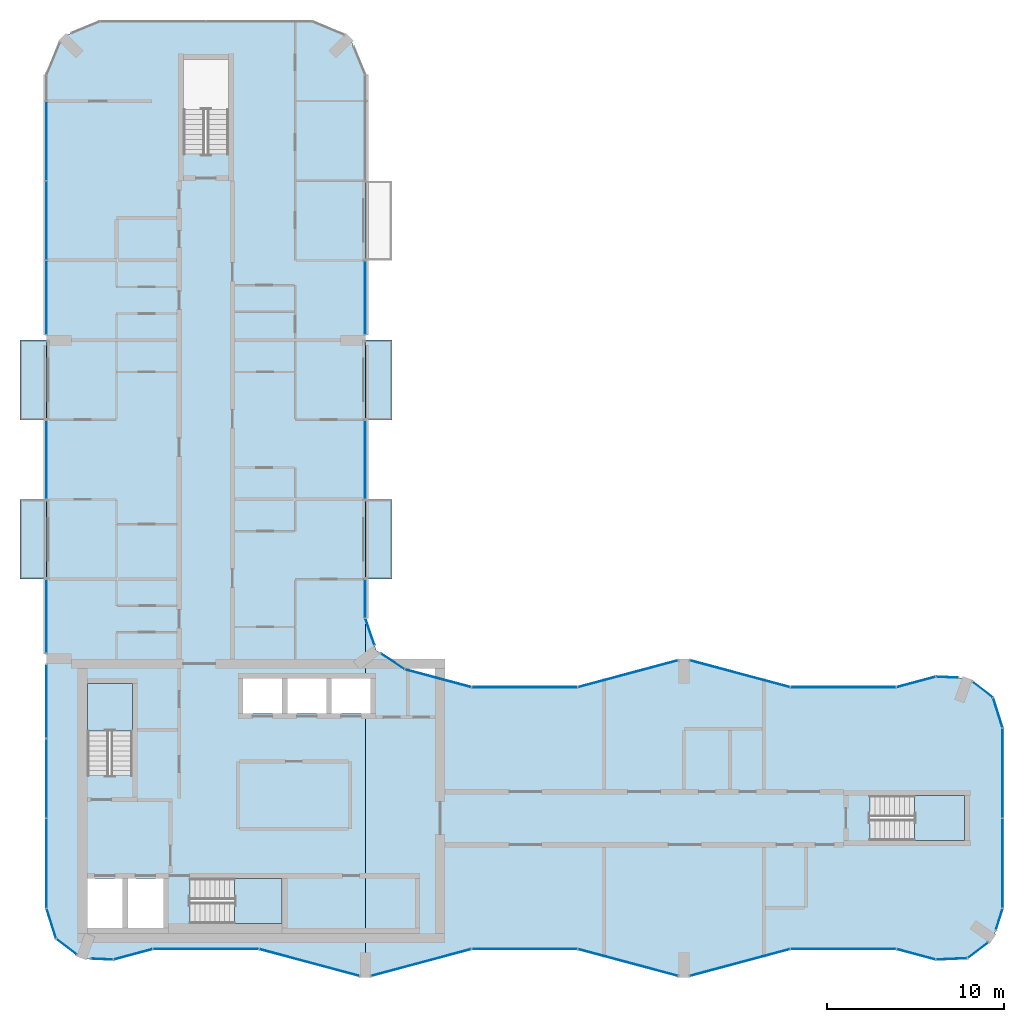
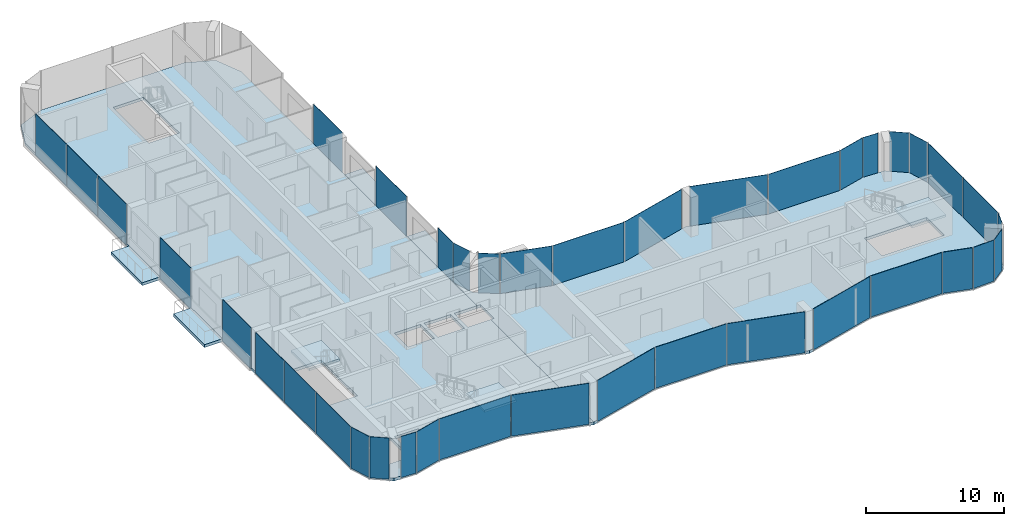
# One storey, part 8 of 16: 39 plates, 9 slabs, 37 elements without a shape of their own.
"""IFC4 building model written with IfcOpenShell, lengths in metres."""

from ifc_helpers import new_model, si_unit, direction, frame, origin, origin_2d, place, context, subcontext, project, spatial, polyline, rectangle, outline, extrude, material, layer, layer_set, type_object, element, aggregate, save


model = new_model("IFC4")

# Units and contexts
model_context = context("Model", 3, precision=1e-05, world=origin(), true_north=direction((0.0, 1.0)))
body_context = subcontext(model_context, "Body", "Model", "MODEL_VIEW")
ifc_project = project(units=[si_unit("LENGTHUNIT", "METRE"), si_unit("AREAUNIT", "SQUARE_METRE"), si_unit("VOLUMEUNIT", "CUBIC_METRE"), si_unit("PLANEANGLEUNIT", "RADIAN"), si_unit("MASSUNIT", "GRAM", prefix="KILO")], contexts=[model_context])

# Site, building, storey
site_placement = place(None, origin())
site = spatial("IfcSite", under=ifc_project, at=site_placement, CompositionType="ELEMENT")
building_placement = place(site_placement, origin())
building = spatial("IfcBuilding", under=site, at=building_placement, Name="Plateau Cross Towers", CompositionType="ELEMENT")
storey_placement = place(building_placement, frame((0.0, 0.0, 181.39990234375)))
storey = spatial("IfcBuildingStorey", under=building, at=storey_placement, Name="L47", CompositionType="ELEMENT", Elevation=181.39990234375)

# Slabs
ifc_material_1 = material(Name="Concrete C40/50", Category="concrete")
ifc_layer_1 = layer(ifc_material_1, 0.25)
ifc_layer_set_1 = layer_set([ifc_layer_1], Name="Concrete C40/50")
slab_type_1 = type_object("IfcSlabType", Name="Balcony slab 250", PredefinedType="FLOOR", material=ifc_layer_set_1)
slab_1_placement = place(storey_placement, frame((0.0, 0.0, -0.25)))
element("IfcSlab", 1, at=slab_1_placement, inside=storey, type_object=slab_type_1, Name="Balcony slab A-BAL-L47-01", PredefinedType="FLOOR", context=body_context, shape_type="SweptSolid", body=[
    extrude(outline(polyline([(0.0, 22.5), (0.0, 27.0), (-1.5, 27.0), (-1.5, 22.5), (0.0, 22.5)])), origin(), (0.0, 0.0, 1.0), 0.25),
])
slab_2_placement = place(storey_placement, frame((0.0, 0.0, -0.25)))
element("IfcSlab", 2, at=slab_2_placement, inside=storey, type_object=slab_type_1, Name="Balcony slab A-BAL-L47-02", PredefinedType="FLOOR", context=body_context, shape_type="SweptSolid", body=[
    extrude(outline(polyline([(0.0, 31.5), (0.0, 36.0), (-1.5, 36.0), (-1.5, 31.5), (0.0, 31.5)])), origin(), (0.0, 0.0, 1.0), 0.25),
])
slab_3_placement = place(storey_placement, frame((0.0, 0.0, -0.25)))
element("IfcSlab", 3, at=slab_3_placement, inside=storey, type_object=slab_type_1, Name="Balcony slab A-BAL-L47-03", PredefinedType="FLOOR", context=body_context, shape_type="SweptSolid", body=[
    extrude(outline(polyline([(19.5, 22.5), (19.5, 27.0), (18.0, 27.0), (18.0, 22.5), (19.5, 22.5)])), origin(), (0.0, 0.0, 1.0), 0.25),
])
slab_4_placement = place(storey_placement, frame((0.0, 0.0, -0.25)))
element("IfcSlab", 4, at=slab_4_placement, inside=storey, type_object=slab_type_1, Name="Balcony slab A-BAL-L47-04", PredefinedType="FLOOR", context=body_context, shape_type="SweptSolid", body=[
    extrude(outline(polyline([(19.5, 31.5), (19.5, 36.0), (18.0, 36.0), (18.0, 31.5), (19.5, 31.5)])), origin(), (0.0, 0.0, 1.0), 0.25),
])

# Curtain wall, plate
ifc_material_2 = material(Name="Dark low-iron glass", Category="glass")
ifc_layer_2 = layer(ifc_material_2, 0.239990234375)
ifc_layer_set_2 = layer_set([ifc_layer_2], Name="Dark low-iron glass")
curtain_wall_type_1 = type_object("IfcCurtainWallType", Name="Curtain wall flush unitised CW-B", PredefinedType="NOTDEFINED", material=ifc_layer_set_2)
curtain_wall_1_placement = place(storey_placement, origin())
curtain_wall_1 = element("IfcCurtainWall", 5, at=curtain_wall_1_placement, inside=storey, type_object=curtain_wall_type_1, Name="ENV/A/L47/A502_10", PredefinedType="NOTDEFINED")
ifc_layer_3 = layer(ifc_material_2, 0.031982421875)
ifc_layer_set_3 = layer_set([ifc_layer_3], Name="Dark low-iron glass")
plate_type_1 = type_object("IfcPlateType", Name="Glass panel 32 flush unitised", PredefinedType="CURTAIN_PANEL", material=ifc_layer_set_3)
plate_1_placement = place(storey_placement, frame((51.125, 1.05078125, -0.1298828125), z_axis=(0.0, 0.0, 1.0), x_axis=(0.999043701491, 0.043722791671, 0.0)))
plate_1 = element("IfcPlate", 6, at=plate_1_placement, type_object=plate_type_1, Name="CW-B panel 1", PredefinedType="CURTAIN_PANEL", context=body_context, shape_type="SweptSolid", body=[
    extrude(rectangle(XDim=1.744140625, YDim=0.031982421875, at=origin_2d()), origin(), (0.0, 0.0, 1.0), 3.6298828125),
])
aggregate(curtain_wall_1, [plate_1])

curtain_wall_2_placement = place(storey_placement, origin())
curtain_wall_2 = element("IfcCurtainWall", 7, at=curtain_wall_2_placement, inside=storey, type_object=curtain_wall_type_1, Name="ENV/A/L47/A520_11", PredefinedType="NOTDEFINED")
plate_2_placement = place(storey_placement, frame((52.60986328125, 1.5380859375, -0.1298828125), z_axis=(0.0, 0.0, 1.0), x_axis=(0.793315514529, 0.608810721331, 0.0)))
plate_2 = element("IfcPlate", 8, at=plate_2_placement, type_object=plate_type_1, Name="CW-B panel 1", PredefinedType="CURTAIN_PANEL", context=body_context, shape_type="SweptSolid", body=[
    extrude(rectangle(XDim=1.41162109375, YDim=0.031982421875, at=origin_2d()), origin(), (0.0, 0.0, 1.0), 3.6298828125),
])
aggregate(curtain_wall_2, [plate_2])

curtain_wall_3_placement = place(storey_placement, origin())
curtain_wall_3 = element("IfcCurtainWall", 9, at=curtain_wall_3_placement, inside=storey, type_object=curtain_wall_type_1, Name="ENV/A/L47/A536_27", PredefinedType="NOTDEFINED")
plate_3_placement = place(storey_placement, frame((53.805419921875, 3.292236328125, -0.1298828125), z_axis=(0.0, 0.0, 1.0), x_axis=(0.300686174994, 0.95372313811, 0.0)))
plate_3 = element("IfcPlate", 10, at=plate_3_placement, type_object=plate_type_1, Name="CW-B panel 1", PredefinedType="CURTAIN_PANEL", context=body_context, shape_type="SweptSolid", body=[
    extrude(rectangle(XDim=1.233642578125, YDim=0.031982421875, at=origin_2d()), origin(), (0.0, 0.0, 1.0), 3.6298828125),
])
aggregate(curtain_wall_3, [plate_3])

# Curtain wall, plates
curtain_wall_4_placement = place(storey_placement, origin())
curtain_wall_4 = element("IfcCurtainWall", 11, at=curtain_wall_4_placement, inside=storey, type_object=curtain_wall_type_1, Name="ENV/A/L47/A540_39", PredefinedType="NOTDEFINED")
plate_4_placement = place(storey_placement, frame((54.0, 6.45458984375, -0.1298828125), z_axis=(0.0, 0.0, 1.0), x_axis=(0.0, 1.0, 0.0)))
plate_4 = element("IfcPlate", 12, at=plate_4_placement, type_object=plate_type_1, Name="CW-B panel 1", PredefinedType="CURTAIN_PANEL", context=body_context, shape_type="SweptSolid", body=[
    extrude(rectangle(XDim=5.03076171875, YDim=0.031982421875, at=origin_2d()), origin(), (0.0, 0.0, 1.0), 3.6298828125),
])
plate_5_placement = place(storey_placement, frame((54.0, 11.54541015625, -0.1298828125), z_axis=(0.0, 0.0, 1.0), x_axis=(0.0, 1.0, 0.0)))
plate_5 = element("IfcPlate", 13, at=plate_5_placement, type_object=plate_type_1, Name="CW-B panel 2", PredefinedType="CURTAIN_PANEL", context=body_context, shape_type="SweptSolid", body=[
    extrude(rectangle(XDim=5.03076171875, YDim=0.031982421875, at=origin_2d()), origin(), (0.0, 0.0, 1.0), 3.6298828125),
])
aggregate(curtain_wall_4, [plate_4, plate_5])

# Curtain wall, plate
curtain_wall_5_placement = place(storey_placement, origin())
curtain_wall_5 = element("IfcCurtainWall", 14, at=curtain_wall_5_placement, inside=storey, type_object=curtain_wall_type_1, Name="ENV/A/L47/A540_141", PredefinedType="NOTDEFINED")
plate_6_placement = place(storey_placement, frame((53.728759765625, 14.951171875, -0.1298828125), z_axis=(0.0, 0.0, 1.0), x_axis=(-0.300686174994, 0.95372313811, 0.0)))
plate_6 = element("IfcPlate", 15, at=plate_6_placement, type_object=plate_type_1, Name="CW-B panel 1", PredefinedType="CURTAIN_PANEL", context=body_context, shape_type="SweptSolid", body=[
    extrude(rectangle(XDim=1.744140625, YDim=0.031982421875, at=origin_2d()), origin(), (0.0, 0.0, 1.0), 3.6298828125),
])
aggregate(curtain_wall_5, [plate_6])

curtain_wall_6_placement = place(storey_placement, origin())
curtain_wall_6 = element("IfcCurtainWall", 16, at=curtain_wall_6_placement, inside=storey, type_object=curtain_wall_type_1, Name="ENV/A/L47/A535_158", PredefinedType="NOTDEFINED")
plate_7_placement = place(storey_placement, frame((52.873779296875, 16.25927734375, -0.1298828125), z_axis=(0.0, 0.0, 1.0), x_axis=(-0.793315514529, 0.608810721331, 0.0)))
plate_7 = element("IfcPlate", 17, at=plate_7_placement, type_object=plate_type_1, Name="CW-B panel 1", PredefinedType="CURTAIN_PANEL", context=body_context, shape_type="SweptSolid", body=[
    extrude(rectangle(XDim=1.41162109375, YDim=0.031982421875, at=origin_2d()), origin(), (0.0, 0.0, 1.0), 3.6298828125),
])
aggregate(curtain_wall_6, [plate_7])

curtain_wall_7_placement = place(storey_placement, origin())
curtain_wall_7 = element("IfcCurtainWall", 18, at=curtain_wall_7_placement, inside=storey, type_object=curtain_wall_type_1, Name="ENV/A/L47/A515_169", PredefinedType="NOTDEFINED")
plate_8_placement = place(storey_placement, frame((50.8701171875, 16.96044921875, -0.1298828125), z_axis=(0.0, 0.0, 1.0), x_axis=(-0.999043701491, 0.043722791671, 0.0)))
plate_8 = element("IfcPlate", 19, at=plate_8_placement, type_object=plate_type_1, Name="CW-B panel 1", PredefinedType="CURTAIN_PANEL", context=body_context, shape_type="SweptSolid", body=[
    extrude(rectangle(XDim=1.233642578125, YDim=0.031982421875, at=origin_2d()), origin(), (0.0, 0.0, 1.0), 3.6298828125),
])
aggregate(curtain_wall_7, [plate_8])

curtain_wall_8_placement = place(storey_placement, origin())
curtain_wall_8 = element("IfcCurtainWall", 20, at=curtain_wall_8_placement, inside=storey, type_object=curtain_wall_type_1, Name="ENV/A/L47/A202_174", PredefinedType="NOTDEFINED")
plate_9_placement = place(storey_placement, frame((19.546630859375, 17.856689453125, -0.1298828125), z_axis=(0.0, 0.0, 1.0), x_axis=(-0.831521253329, 0.555492938984, 0.0)))
plate_9 = element("IfcPlate", 21, at=plate_9_placement, type_object=plate_type_1, Name="CW-B panel 1", PredefinedType="CURTAIN_PANEL", context=body_context, shape_type="SweptSolid", body=[
    extrude(rectangle(XDim=1.56884765625, YDim=0.031982421875, at=origin_2d()), origin(), (0.0, 0.0, 1.0), 3.6298828125),
])
aggregate(curtain_wall_8, [plate_9])

curtain_wall_9_placement = place(storey_placement, origin())
curtain_wall_9 = element("IfcCurtainWall", 22, at=curtain_wall_9_placement, inside=storey, type_object=curtain_wall_type_1, Name="ENV/A/L47/A185_188", PredefinedType="NOTDEFINED")
plate_10_placement = place(storey_placement, frame((18.26171875, 19.531005859375, -0.1298828125), z_axis=(0.0, 0.0, 1.0), x_axis=(-0.321469161574, 0.94692004845, 0.0)))
plate_10 = element("IfcPlate", 23, at=plate_10_placement, type_object=plate_type_1, Name="CW-B panel 1", PredefinedType="CURTAIN_PANEL", context=body_context, shape_type="SweptSolid", body=[
    extrude(rectangle(XDim=1.56884765625, YDim=0.031982421875, at=origin_2d()), origin(), (0.0, 0.0, 1.0), 3.6298828125),
])
aggregate(curtain_wall_9, [plate_10])

curtain_wall_10_placement = place(storey_placement, origin())
curtain_wall_10 = element("IfcCurtainWall", 24, at=curtain_wall_10_placement, inside=storey, type_object=curtain_wall_type_1, Name="ENV/A/L47/A180_203", PredefinedType="NOTDEFINED")
plate_11_placement = place(storey_placement, frame((18.0, 21.396240234375, -0.1298828125), z_axis=(0.0, 0.0, 1.0), x_axis=(0.0, 1.0, 0.0)))
plate_11 = element("IfcPlate", 25, at=plate_11_placement, type_object=plate_type_1, Name="CW-B panel 1", PredefinedType="CURTAIN_PANEL", context=body_context, shape_type="SweptSolid", body=[
    extrude(rectangle(XDim=2.127685546875, YDim=0.031982421875, at=origin_2d()), origin(), (0.0, 0.0, 1.0), 3.6298828125),
])
aggregate(curtain_wall_10, [plate_11])

curtain_wall_11_placement = place(storey_placement, origin())
curtain_wall_11 = element("IfcCurtainWall", 26, at=curtain_wall_11_placement, inside=storey, type_object=curtain_wall_type_1, Name="ENV/A/L47/A180_270", PredefinedType="NOTDEFINED")
plate_12_placement = place(storey_placement, frame((18.0, 29.25, -0.1298828125), z_axis=(0.0, 0.0, 1.0), x_axis=(0.0, 1.0, 0.0)))
plate_12 = element("IfcPlate", 27, at=plate_12_placement, type_object=plate_type_1, Name="CW-B panel 1", PredefinedType="CURTAIN_PANEL", context=body_context, shape_type="SweptSolid", body=[
    extrude(rectangle(XDim=4.419921875, YDim=0.031982421875, at=origin_2d()), origin(), (0.0, 0.0, 1.0), 3.6298828125),
])
aggregate(curtain_wall_11, [plate_12])

curtain_wall_12_placement = place(storey_placement, origin())
curtain_wall_12 = element("IfcCurtainWall", 28, at=curtain_wall_12_placement, inside=storey, type_object=curtain_wall_type_1, Name="ENV/A/L47/A180_363", PredefinedType="NOTDEFINED")
plate_13_placement = place(storey_placement, frame((18.0, 38.39501953125, -0.1298828125), z_axis=(0.0, 0.0, 1.0), x_axis=(0.0, 1.0, 0.0)))
plate_13 = element("IfcPlate", 29, at=plate_13_placement, type_object=plate_type_1, Name="CW-B panel 1", PredefinedType="CURTAIN_PANEL", context=body_context, shape_type="SweptSolid", body=[
    extrude(rectangle(XDim=4.1298828125, YDim=0.031982421875, at=origin_2d()), origin(), (0.0, 0.0, 1.0), 3.6298828125),
])
aggregate(curtain_wall_12, [plate_13])

# Curtain wall, plates
curtain_wall_13_placement = place(storey_placement, origin())
curtain_wall_13 = element("IfcCurtainWall", 30, at=curtain_wall_13_placement, inside=storey, type_object=curtain_wall_type_1, Name="ENV/A/L47/A0_510", PredefinedType="NOTDEFINED")
plate_14_placement = place(storey_placement, frame((0.0, 47.25, -0.1298828125), z_axis=(0.0, 0.0, 1.0), x_axis=(0.0, -1.0, 0.0)))
plate_14 = element("IfcPlate", 31, at=plate_14_placement, type_object=plate_type_1, Name="CW-B panel 2", PredefinedType="CURTAIN_PANEL", context=body_context, shape_type="SweptSolid", body=[
    extrude(rectangle(XDim=4.43994140625, YDim=0.031982421875, at=origin_2d()), origin(), (0.0, 0.0, 1.0), 3.6298828125),
])
plate_15_placement = place(storey_placement, frame((0.0, 42.75, -0.1298828125), z_axis=(0.0, 0.0, 1.0), x_axis=(0.0, -1.0, 0.0)))
plate_15 = element("IfcPlate", 32, at=plate_15_placement, type_object=plate_type_1, Name="CW-B panel 3", PredefinedType="CURTAIN_PANEL", context=body_context, shape_type="SweptSolid", body=[
    extrude(rectangle(XDim=4.43994140625, YDim=0.031982421875, at=origin_2d()), origin(), (0.0, 0.0, 1.0), 3.6298828125),
])
plate_16_placement = place(storey_placement, frame((0.0, 38.39990234375, -0.1298828125), z_axis=(0.0, 0.0, 1.0), x_axis=(0.0, -1.0, 0.0)))
plate_16 = element("IfcPlate", 33, at=plate_16_placement, type_object=plate_type_1, Name="CW-B panel 4", PredefinedType="CURTAIN_PANEL", context=body_context, shape_type="SweptSolid", body=[
    extrude(rectangle(XDim=4.139892578125, YDim=0.031982421875, at=origin_2d()), origin(), (0.0, 0.0, 1.0), 3.6298828125),
])
aggregate(curtain_wall_13, [plate_14, plate_15, plate_16])

# Curtain wall, plate
curtain_wall_14_placement = place(storey_placement, origin())
curtain_wall_14 = element("IfcCurtainWall", 34, at=curtain_wall_14_placement, inside=storey, type_object=curtain_wall_type_1, Name="ENV/A/L47/A0_315", PredefinedType="NOTDEFINED")
plate_17_placement = place(storey_placement, frame((0.0, 29.25, -0.1298828125), z_axis=(0.0, 0.0, 1.0), x_axis=(0.0, -1.0, 0.0)))
plate_17 = element("IfcPlate", 35, at=plate_17_placement, type_object=plate_type_1, Name="CW-B panel 1", PredefinedType="CURTAIN_PANEL", context=body_context, shape_type="SweptSolid", body=[
    extrude(rectangle(XDim=4.419921875, YDim=0.031982421875, at=origin_2d()), origin(), (0.0, 0.0, 1.0), 3.6298828125),
])
aggregate(curtain_wall_14, [plate_17])

curtain_wall_15_placement = place(storey_placement, origin())
curtain_wall_15 = element("IfcCurtainWall", 36, at=curtain_wall_15_placement, inside=storey, type_object=curtain_wall_type_1, Name="ENV/A/L47/A0_225", PredefinedType="NOTDEFINED")
plate_18_placement = place(storey_placement, frame((0.0, 20.39501953125, -0.1298828125), z_axis=(0.0, 0.0, 1.0), x_axis=(0.0, -1.0, 0.0)))
plate_18 = element("IfcPlate", 37, at=plate_18_placement, type_object=plate_type_1, Name="CW-B panel 1", PredefinedType="CURTAIN_PANEL", context=body_context, shape_type="SweptSolid", body=[
    extrude(rectangle(XDim=4.1298828125, YDim=0.031982421875, at=origin_2d()), origin(), (0.0, 0.0, 1.0), 3.6298828125),
])
aggregate(curtain_wall_15, [plate_18])

# Curtain wall, plates
curtain_wall_16_placement = place(storey_placement, origin())
curtain_wall_16 = element("IfcCurtainWall", 38, at=curtain_wall_16_placement, inside=storey, type_object=curtain_wall_type_1, Name="ENV/A/L47/A0_177", PredefinedType="NOTDEFINED")
plate_19_placement = place(storey_placement, frame((0.0, 15.60009765625, -0.1298828125), z_axis=(0.0, 0.0, 1.0), x_axis=(0.0, -1.0, 0.0)))
plate_19 = element("IfcPlate", 39, at=plate_19_placement, type_object=plate_type_1, Name="CW-B panel 1", PredefinedType="CURTAIN_PANEL", context=body_context, shape_type="SweptSolid", body=[
    extrude(rectangle(XDim=4.139892578125, YDim=0.031982421875, at=origin_2d()), origin(), (0.0, 0.0, 1.0), 3.6298828125),
])
plate_20_placement = place(storey_placement, frame((0.0, 11.25, -0.1298828125), z_axis=(0.0, 0.0, 1.0), x_axis=(0.0, -1.0, 0.0)))
plate_20 = element("IfcPlate", 40, at=plate_20_placement, type_object=plate_type_1, Name="CW-B panel 2", PredefinedType="CURTAIN_PANEL", context=body_context, shape_type="SweptSolid", body=[
    extrude(rectangle(XDim=4.43994140625, YDim=0.031982421875, at=origin_2d()), origin(), (0.0, 0.0, 1.0), 3.6298828125),
])
plate_21_placement = place(storey_placement, frame((0.0, 6.45458984375, -0.1298828125), z_axis=(0.0, 0.0, 1.0), x_axis=(0.0, -1.0, 0.0)))
plate_21 = element("IfcPlate", 41, at=plate_21_placement, type_object=plate_type_1, Name="CW-B panel 3", PredefinedType="CURTAIN_PANEL", context=body_context, shape_type="SweptSolid", body=[
    extrude(rectangle(XDim=5.03076171875, YDim=0.031982421875, at=origin_2d()), origin(), (0.0, 0.0, 1.0), 3.6298828125),
])
aggregate(curtain_wall_16, [plate_19, plate_20, plate_21])

# Curtain wall, plate
curtain_wall_17_placement = place(storey_placement, origin())
curtain_wall_17 = element("IfcCurtainWall", 42, at=curtain_wall_17_placement, inside=storey, type_object=curtain_wall_type_1, Name="ENV/A/L47/A0_39", PredefinedType="NOTDEFINED")
plate_22_placement = place(storey_placement, frame((0.271240234375, 3.048828125, -0.1298828125), z_axis=(0.0, 0.0, 1.0), x_axis=(0.300686174994, -0.95372313811, 0.0)))
plate_22 = element("IfcPlate", 43, at=plate_22_placement, type_object=plate_type_1, Name="CW-B panel 1", PredefinedType="CURTAIN_PANEL", context=body_context, shape_type="SweptSolid", body=[
    extrude(rectangle(XDim=1.744140625, YDim=0.031982421875, at=origin_2d()), origin(), (0.0, 0.0, 1.0), 3.6298828125),
])
aggregate(curtain_wall_17, [plate_22])

curtain_wall_18_placement = place(storey_placement, origin())
curtain_wall_18 = element("IfcCurtainWall", 44, at=curtain_wall_18_placement, inside=storey, type_object=curtain_wall_type_1, Name="ENV/A/L47/A5_22", PredefinedType="NOTDEFINED")
plate_23_placement = place(storey_placement, frame((1.126220703125, 1.74072265625, -0.1298828125), z_axis=(0.0, 0.0, 1.0), x_axis=(0.793315514529, -0.608810721331, 0.0)))
plate_23 = element("IfcPlate", 45, at=plate_23_placement, type_object=plate_type_1, Name="CW-B panel 1", PredefinedType="CURTAIN_PANEL", context=body_context, shape_type="SweptSolid", body=[
    extrude(rectangle(XDim=1.41162109375, YDim=0.031982421875, at=origin_2d()), origin(), (0.0, 0.0, 1.0), 3.6298828125),
])
aggregate(curtain_wall_18, [plate_23])

curtain_wall_19_placement = place(storey_placement, origin())
curtain_wall_19 = element("IfcCurtainWall", 46, at=curtain_wall_19_placement, inside=storey, type_object=curtain_wall_type_1, Name="ENV/A/L47/A25_11", PredefinedType="NOTDEFINED")
plate_24_placement = place(storey_placement, frame((3.1298828125, 1.03955078125, -0.1298828125), z_axis=(0.0, 0.0, 1.0), x_axis=(0.999043701491, -0.043722791671, 0.0)))
plate_24 = element("IfcPlate", 47, at=plate_24_placement, type_object=plate_type_1, Name="CW-B panel 1", PredefinedType="CURTAIN_PANEL", context=body_context, shape_type="SweptSolid", body=[
    extrude(rectangle(XDim=1.233642578125, YDim=0.031982421875, at=origin_2d()), origin(), (0.0, 0.0, 1.0), 3.6298828125),
])
aggregate(curtain_wall_19, [plate_24])

ifc_layer_4 = layer(ifc_material_2, 0.260009765625)
ifc_layer_set_4 = layer_set([ifc_layer_4], Name="Dark low-iron glass")
curtain_wall_type_2 = type_object("IfcCurtainWallType", Name="Curtain wall fluted unitised CW-A", PredefinedType="NOTDEFINED", material=ifc_layer_set_4)
curtain_wall_20_placement = place(storey_placement, origin())
curtain_wall_20 = element("IfcCurtainWall", 48, at=curtain_wall_20_placement, inside=storey, type_object=curtain_wall_type_2, Name="ENV/A/L47/A38_10", PredefinedType="NOTDEFINED")
ifc_layer_5 = layer(ifc_material_2, 0.035888671875)
ifc_layer_set_5 = layer_set([ifc_layer_5], Name="Dark low-iron glass")
plate_type_2 = type_object("IfcPlateType", Name="Glass panel 36 fluted unitised", PredefinedType="CURTAIN_PANEL", material=ifc_layer_set_5)
plate_25_placement = place(storey_placement, frame((4.887939453125, 1.30908203125, -0.1298828125), z_axis=(0.0, 0.0, 1.0), x_axis=(0.965957962328, 0.258699081978, 0.0)))
plate_25 = element("IfcPlate", 49, at=plate_25_placement, type_object=plate_type_2, Name="CW-A panel 1", PredefinedType="CURTAIN_PANEL", context=body_context, shape_type="SweptSolid", body=[
    extrude(rectangle(XDim=2.2421875, YDim=0.035888671875, at=origin_2d()), origin(), (0.0, 0.0, 1.0), 3.6298828125),
])
aggregate(curtain_wall_20, [plate_25])

curtain_wall_21_placement = place(storey_placement, origin())
curtain_wall_21 = element("IfcCurtainWall", 50, at=curtain_wall_21_placement, inside=storey, type_object=curtain_wall_type_2, Name="ENV/A/L47/A60_16", PredefinedType="NOTDEFINED")
plate_26_placement = place(storey_placement, frame((9.0, 1.60693359375, -0.1298828125), z_axis=(0.0, 0.0, 1.0), x_axis=(1.0, 0.0, 0.0)))
plate_26 = element("IfcPlate", 51, at=plate_26_placement, type_object=plate_type_2, Name="CW-A panel 1", PredefinedType="CURTAIN_PANEL", context=body_context, shape_type="SweptSolid", body=[
    extrude(rectangle(XDim=5.93994140625, YDim=0.035888671875, at=origin_2d()), origin(), (0.0, 0.0, 1.0), 3.6298828125),
])
aggregate(curtain_wall_21, [plate_26])

curtain_wall_22_placement = place(storey_placement, origin())
curtain_wall_22 = element("IfcCurtainWall", 52, at=curtain_wall_22_placement, inside=storey, type_object=curtain_wall_type_2, Name="ENV/A/L47/A120_16", PredefinedType="NOTDEFINED")
plate_27_placement = place(storey_placement, frame((14.841064453125, 0.845947265625, -0.1298828125), z_axis=(0.0, 0.0, 1.0), x_axis=(0.965957983404, -0.258699003279, 0.0)))
plate_27 = element("IfcPlate", 53, at=plate_27_placement, type_object=plate_type_2, Name="CW-A panel 1", PredefinedType="CURTAIN_PANEL", context=body_context, shape_type="SweptSolid", body=[
    extrude(rectangle(XDim=5.822265625, YDim=0.035888671875, at=origin_2d()), origin(), (0.0, 0.0, 1.0), 3.6298828125),
])
aggregate(curtain_wall_22, [plate_27])

curtain_wall_23_placement = place(storey_placement, origin())
curtain_wall_23 = element("IfcCurtainWall", 54, at=curtain_wall_23_placement, inside=storey, type_object=curtain_wall_type_2, Name="ENV/A/L47/A183_1", PredefinedType="NOTDEFINED")
plate_28_placement = place(storey_placement, frame((21.158935546875, 0.845947265625, -0.1298828125), z_axis=(0.0, 0.0, 1.0), x_axis=(0.965957983404, 0.258699003279, 0.0)))
plate_28 = element("IfcPlate", 55, at=plate_28_placement, type_object=plate_type_2, Name="CW-A panel 1", PredefinedType="CURTAIN_PANEL", context=body_context, shape_type="SweptSolid", body=[
    extrude(rectangle(XDim=5.822265625, YDim=0.035888671875, at=origin_2d()), origin(), (0.0, 0.0, 1.0), 3.6298828125),
])
aggregate(curtain_wall_23, [plate_28])

curtain_wall_24_placement = place(storey_placement, origin())
curtain_wall_24 = element("IfcCurtainWall", 56, at=curtain_wall_24_placement, inside=storey, type_object=curtain_wall_type_2, Name="ENV/A/L47/A240_16", PredefinedType="NOTDEFINED")
plate_29_placement = place(storey_placement, frame((27.0, 1.60693359375, -0.1298828125), z_axis=(0.0, 0.0, 1.0), x_axis=(1.0, 0.0, 0.0)))
plate_29 = element("IfcPlate", 57, at=plate_29_placement, type_object=plate_type_2, Name="CW-A panel 1", PredefinedType="CURTAIN_PANEL", context=body_context, shape_type="SweptSolid", body=[
    extrude(rectangle(XDim=5.93994140625, YDim=0.035888671875, at=origin_2d()), origin(), (0.0, 0.0, 1.0), 3.6298828125),
])
aggregate(curtain_wall_24, [plate_29])

curtain_wall_25_placement = place(storey_placement, origin())
curtain_wall_25 = element("IfcCurtainWall", 58, at=curtain_wall_25_placement, inside=storey, type_object=curtain_wall_type_2, Name="ENV/A/L47/A300_16", PredefinedType="NOTDEFINED")
plate_30_placement = place(storey_placement, frame((32.841064453125, 0.845947265625, -0.1298828125), z_axis=(0.0, 0.0, 1.0), x_axis=(0.965957983404, -0.258699003279, 0.0)))
plate_30 = element("IfcPlate", 59, at=plate_30_placement, type_object=plate_type_2, Name="CW-A panel 1", PredefinedType="CURTAIN_PANEL", context=body_context, shape_type="SweptSolid", body=[
    extrude(rectangle(XDim=5.822265625, YDim=0.035888671875, at=origin_2d()), origin(), (0.0, 0.0, 1.0), 3.6298828125),
])
aggregate(curtain_wall_25, [plate_30])

curtain_wall_26_placement = place(storey_placement, origin())
curtain_wall_26 = element("IfcCurtainWall", 60, at=curtain_wall_26_placement, inside=storey, type_object=curtain_wall_type_2, Name="ENV/A/L47/A363_1", PredefinedType="NOTDEFINED")
plate_31_placement = place(storey_placement, frame((39.158935546875, 0.845947265625, -0.1298828125), z_axis=(0.0, 0.0, 1.0), x_axis=(0.965957983404, 0.258699003279, 0.0)))
plate_31 = element("IfcPlate", 61, at=plate_31_placement, type_object=plate_type_2, Name="CW-A panel 1", PredefinedType="CURTAIN_PANEL", context=body_context, shape_type="SweptSolid", body=[
    extrude(rectangle(XDim=5.822265625, YDim=0.035888671875, at=origin_2d()), origin(), (0.0, 0.0, 1.0), 3.6298828125),
])
aggregate(curtain_wall_26, [plate_31])

curtain_wall_27_placement = place(storey_placement, origin())
curtain_wall_27 = element("IfcCurtainWall", 62, at=curtain_wall_27_placement, inside=storey, type_object=curtain_wall_type_2, Name="ENV/A/L47/A420_16", PredefinedType="NOTDEFINED")
plate_32_placement = place(storey_placement, frame((45.0, 1.60693359375, -0.1298828125), z_axis=(0.0, 0.0, 1.0), x_axis=(1.0, 0.0, 0.0)))
plate_32 = element("IfcPlate", 63, at=plate_32_placement, type_object=plate_type_2, Name="CW-A panel 1", PredefinedType="CURTAIN_PANEL", context=body_context, shape_type="SweptSolid", body=[
    extrude(rectangle(XDim=5.93994140625, YDim=0.035888671875, at=origin_2d()), origin(), (0.0, 0.0, 1.0), 3.6298828125),
])
aggregate(curtain_wall_27, [plate_32])

curtain_wall_28_placement = place(storey_placement, origin())
curtain_wall_28 = element("IfcCurtainWall", 64, at=curtain_wall_28_placement, inside=storey, type_object=curtain_wall_type_2, Name="ENV/A/L47/A480_16", PredefinedType="NOTDEFINED")
plate_33_placement = place(storey_placement, frame((49.112060546875, 1.30908203125, -0.1298828125), z_axis=(0.0, 0.0, 1.0), x_axis=(0.965957962328, -0.258699081978, 0.0)))
plate_33 = element("IfcPlate", 65, at=plate_33_placement, type_object=plate_type_2, Name="CW-A panel 1", PredefinedType="CURTAIN_PANEL", context=body_context, shape_type="SweptSolid", body=[
    extrude(rectangle(XDim=2.2421875, YDim=0.035888671875, at=origin_2d()), origin(), (0.0, 0.0, 1.0), 3.6298828125),
])
aggregate(curtain_wall_28, [plate_33])

curtain_wall_29_placement = place(storey_placement, origin())
curtain_wall_29 = element("IfcCurtainWall", 66, at=curtain_wall_29_placement, inside=storey, type_object=curtain_wall_type_2, Name="ENV/A/L47/A502_170", PredefinedType="NOTDEFINED")
plate_34_placement = place(storey_placement, frame((49.112060546875, 16.69091796875, -0.1298828125), z_axis=(0.0, 0.0, 1.0), x_axis=(-0.965957962328, -0.258699081978, 0.0)))
plate_34 = element("IfcPlate", 67, at=plate_34_placement, type_object=plate_type_2, Name="CW-A panel 1", PredefinedType="CURTAIN_PANEL", context=body_context, shape_type="SweptSolid", body=[
    extrude(rectangle(XDim=2.2421875, YDim=0.035888671875, at=origin_2d()), origin(), (0.0, 0.0, 1.0), 3.6298828125),
])
aggregate(curtain_wall_29, [plate_34])

curtain_wall_30_placement = place(storey_placement, origin())
curtain_wall_30 = element("IfcCurtainWall", 68, at=curtain_wall_30_placement, inside=storey, type_object=curtain_wall_type_2, Name="ENV/A/L47/A480_164", PredefinedType="NOTDEFINED")
plate_35_placement = place(storey_placement, frame((45.0, 16.39306640625, -0.1298828125), z_axis=(0.0, 0.0, 1.0), x_axis=(-1.0, 0.0, 0.0)))
plate_35 = element("IfcPlate", 69, at=plate_35_placement, type_object=plate_type_2, Name="CW-A panel 1", PredefinedType="CURTAIN_PANEL", context=body_context, shape_type="SweptSolid", body=[
    extrude(rectangle(XDim=5.93994140625, YDim=0.035888671875, at=origin_2d()), origin(), (0.0, 0.0, 1.0), 3.6298828125),
])
aggregate(curtain_wall_30, [plate_35])

curtain_wall_31_placement = place(storey_placement, origin())
curtain_wall_31 = element("IfcCurtainWall", 70, at=curtain_wall_31_placement, inside=storey, type_object=curtain_wall_type_2, Name="ENV/A/L47/A420_164", PredefinedType="NOTDEFINED")
plate_36_placement = place(storey_placement, frame((39.158935546875, 17.154052734375, -0.1298828125), z_axis=(0.0, 0.0, 1.0), x_axis=(-0.965957983404, 0.258699003279, 0.0)))
plate_36 = element("IfcPlate", 71, at=plate_36_placement, type_object=plate_type_2, Name="CW-A panel 1", PredefinedType="CURTAIN_PANEL", context=body_context, shape_type="SweptSolid", body=[
    extrude(rectangle(XDim=5.822265625, YDim=0.035888671875, at=origin_2d()), origin(), (0.0, 0.0, 1.0), 3.6298828125),
])
aggregate(curtain_wall_31, [plate_36])

curtain_wall_32_placement = place(storey_placement, origin())
curtain_wall_32 = element("IfcCurtainWall", 72, at=curtain_wall_32_placement, inside=storey, type_object=curtain_wall_type_2, Name="ENV/A/L47/A357_179", PredefinedType="NOTDEFINED")
plate_37_placement = place(storey_placement, frame((32.841064453125, 17.154052734375, -0.1298828125), z_axis=(0.0, 0.0, 1.0), x_axis=(-0.965957983404, -0.258699003279, 0.0)))
plate_37 = element("IfcPlate", 73, at=plate_37_placement, type_object=plate_type_2, Name="CW-A panel 1", PredefinedType="CURTAIN_PANEL", context=body_context, shape_type="SweptSolid", body=[
    extrude(rectangle(XDim=5.822265625, YDim=0.035888671875, at=origin_2d()), origin(), (0.0, 0.0, 1.0), 3.6298828125),
])
aggregate(curtain_wall_32, [plate_37])

curtain_wall_33_placement = place(storey_placement, origin())
curtain_wall_33 = element("IfcCurtainWall", 74, at=curtain_wall_33_placement, inside=storey, type_object=curtain_wall_type_2, Name="ENV/A/L47/A300_164", PredefinedType="NOTDEFINED")
plate_38_placement = place(storey_placement, frame((27.0, 16.39306640625, -0.1298828125), z_axis=(0.0, 0.0, 1.0), x_axis=(-1.0, 0.0, 0.0)))
plate_38 = element("IfcPlate", 75, at=plate_38_placement, type_object=plate_type_2, Name="CW-A panel 1", PredefinedType="CURTAIN_PANEL", context=body_context, shape_type="SweptSolid", body=[
    extrude(rectangle(XDim=5.93994140625, YDim=0.035888671875, at=origin_2d()), origin(), (0.0, 0.0, 1.0), 3.6298828125),
])
aggregate(curtain_wall_33, [plate_38])

curtain_wall_34_placement = place(storey_placement, origin())
curtain_wall_34 = element("IfcCurtainWall", 76, at=curtain_wall_34_placement, inside=storey, type_object=curtain_wall_type_2, Name="ENV/A/L47/A240_164", PredefinedType="NOTDEFINED")
plate_39_placement = place(storey_placement, frame((22.112060546875, 16.898681640625, -0.1298828125), z_axis=(0.0, 0.0, 1.0), x_axis=(-0.965957995816, 0.258698956933, 0.0)))
plate_39 = element("IfcPlate", 77, at=plate_39_placement, type_object=plate_type_2, Name="CW-A panel 1", PredefinedType="CURTAIN_PANEL", context=body_context, shape_type="SweptSolid", body=[
    extrude(rectangle(XDim=3.84912109375, YDim=0.035888671875, at=origin_2d()), origin(), (0.0, 0.0, 1.0), 3.6298828125),
])
aggregate(curtain_wall_34, [plate_39])

# Slabs
ifc_layer_6 = layer(ifc_material_1, 0.25)
ifc_layer_set_6 = layer_set([ifc_layer_6], Name="Concrete C40/50")
slab_type_2 = type_object("IfcSlabType", Name="Post-tensioned flat plate slab 250", PredefinedType="FLOOR", material=ifc_layer_set_6)
slab_5_placement = place(storey_placement, frame((0.0, 0.0, -0.25)))
element("IfcSlab", 78, at=slab_5_placement, inside=storey, type_object=slab_type_2, Name="SL-A-L47 1", PredefinedType="FLOOR", context=body_context, shape_type="SweptSolid", body=[
    extrude(outline(polyline([(0.54248046875, 2.1884765625), (0.0, 3.9091796875), (0.0, 51.0), (0.878662109375, 53.121337890625), (3.0, 54.0), (15.0, 54.0), (17.121337890625, 53.121337890625), (18.0, 51.0), (18.0, 20.30224609375), (18.0, 16.89990234375), (16.10009765625, 16.89990234375), (16.10009765625, 14.89990234375), (18.0, 14.89990234375), (18.0, 0.0), (12.0, 1.60693359375), (6.0, 1.60693359375), (3.776123046875, 1.01123046875), (1.9736328125, 1.090087890625), (0.54248046875, 2.1884765625)]), holes=[polyline([(2.300048828125, 5.60009765625), (2.300048828125, 2.800048828125), (4.300048828125, 2.800048828125), (4.300048828125, 5.60009765625), (2.300048828125, 5.60009765625)]), polyline([(4.60009765625, 5.60009765625), (4.60009765625, 2.800048828125), (6.60009765625, 2.800048828125), (6.60009765625, 5.60009765625), (4.60009765625, 5.60009765625)]), polyline([(8.10009765625, 5.60009765625), (8.10009765625, 3.050048828125), (13.300048828125, 3.050048828125), (13.300048828125, 5.60009765625), (8.10009765625, 5.60009765625)]), polyline([(2.300048828125, 11.39990234375), (4.85009765625, 11.39990234375), (4.85009765625, 16.60009765625), (2.300048828125, 16.60009765625), (2.300048828125, 11.39990234375)]), polyline([(11.10009765625, 16.89990234375), (11.10009765625, 14.89990234375), (13.300048828125, 14.89990234375), (13.300048828125, 16.89990234375), (11.10009765625, 16.89990234375)]), polyline([(13.60009765625, 16.89990234375), (13.60009765625, 14.89990234375), (15.800048828125, 14.89990234375), (15.800048828125, 16.89990234375), (13.60009765625, 16.89990234375)]), polyline([(7.72509765625, 51.699951171875), (7.72509765625, 46.5), (10.27490234375, 46.5), (10.27490234375, 51.699951171875), (7.72509765625, 51.699951171875)])]), origin(), (0.0, 0.0, 1.0), 0.25),
])
slab_6_placement = place(storey_placement, frame((0.0, 0.0, -0.25)))
element("IfcSlab", 79, at=slab_6_placement, inside=storey, type_object=slab_type_2, Name="SL-A-L47 2", PredefinedType="FLOOR", context=body_context, shape_type="SweptSolid", body=[
    extrude(outline(polyline([(18.6201171875, 18.475830078125), (20.223876953125, 17.404296875), (24.0, 16.39306640625), (30.0, 16.39306640625), (36.0, 18.0), (42.0, 16.39306640625), (48.0, 16.39306640625), (50.223876953125, 16.98876953125), (52.0263671875, 16.909912109375), (53.45751953125, 15.8115234375), (54.0, 14.0908203125), (54.0, 3.9091796875), (53.45751953125, 2.1884765625), (52.0263671875, 1.090087890625), (50.223876953125, 1.01123046875), (48.0, 1.60693359375), (42.0, 1.60693359375), (36.0, 0.0), (30.0, 1.60693359375), (24.0, 1.60693359375), (18.0, 0.0), (18.0, 14.89990234375), (18.300048828125, 14.89990234375), (18.300048828125, 16.89990234375), (18.0, 16.89990234375), (18.0, 20.30224609375), (18.6201171875, 18.475830078125)]), holes=[polyline([(46.5, 10.27490234375), (46.5, 7.72509765625), (51.699951171875, 7.72509765625), (51.699951171875, 10.27490234375), (46.5, 10.27490234375)])]), origin(), (0.0, 0.0, 1.0), 0.25),
])

# Stair, slab
stair_type = type_object("IfcStairType", Name="ST-TWR", PredefinedType="HALF_TURN_STAIR", material=ifc_material_1)
stair_1_placement = place(storey_placement, origin())
stair_1 = element("IfcStair", 80, at=stair_1_placement, inside=storey, type_object=stair_type, Name="L47 Protected Exit Stair ST-1", PredefinedType="HALF_TURN_STAIR")
ifc_layer_7 = layer(ifc_material_1, 0.199951171875)
ifc_layer_set_7 = layer_set([ifc_layer_7], Name="Concrete C40/50")
slab_type_3 = type_object("IfcSlabType", Name="SL-LANDING", PredefinedType="LANDING", material=ifc_layer_set_7)
slab_7_placement = place(storey_placement, frame((0.0, 0.0, 1.550048828125)))
slab_7 = element("IfcSlab", 81, at=slab_7_placement, type_object=slab_type_3, Name="ST-1 landing 1", PredefinedType="LANDING", context=body_context, shape_type="SweptSolid", body=[
    extrude(outline(polyline([(4.85009765625, 13.919921875), (4.85009765625, 16.60009765625), (2.300048828125, 16.60009765625), (2.300048828125, 13.919921875), (4.85009765625, 13.919921875)])), origin(), (0.0, 0.0, 1.0), 0.199951171875),
])
aggregate(stair_1, [slab_7])

stair_2_placement = place(storey_placement, origin())
stair_2 = element("IfcStair", 82, at=stair_2_placement, inside=storey, type_object=stair_type, Name="L47 Protected Exit Stair ST-2", PredefinedType="HALF_TURN_STAIR")
slab_8_placement = place(storey_placement, frame((0.0, 0.0, 1.550048828125)))
slab_8 = element("IfcSlab", 83, at=slab_8_placement, type_object=slab_type_3, Name="ST-2 landing 1", PredefinedType="LANDING", context=body_context, shape_type="SweptSolid", body=[
    extrude(outline(polyline([(10.6201171875, 3.050048828125), (13.300048828125, 3.050048828125), (13.300048828125, 5.60009765625), (10.6201171875, 5.60009765625), (10.6201171875, 3.050048828125)])), origin(), (0.0, 0.0, 1.0), 0.199951171875),
])
aggregate(stair_2, [slab_8])

stair_3_placement = place(storey_placement, origin())
stair_3 = element("IfcStair", 84, at=stair_3_placement, inside=storey, type_object=stair_type, Name="L47 Protected Exit Stair E", PredefinedType="HALF_TURN_STAIR")
slab_9_placement = place(storey_placement, frame((0.0, 0.0, 1.550048828125)))
slab_9 = element("IfcSlab", 85, at=slab_9_placement, type_object=slab_type_3, Name="ES-E landing 1", PredefinedType="LANDING", context=body_context, shape_type="SweptSolid", body=[
    extrude(outline(polyline([(49.02001953125, 7.72509765625), (51.85009765625, 7.72509765625), (51.85009765625, 10.27490234375), (49.02001953125, 10.27490234375), (49.02001953125, 7.72509765625)])), origin(), (0.0, 0.0, 1.0), 0.199951171875),
])
aggregate(stair_3, [slab_9])

save(model, "model.ifc")
